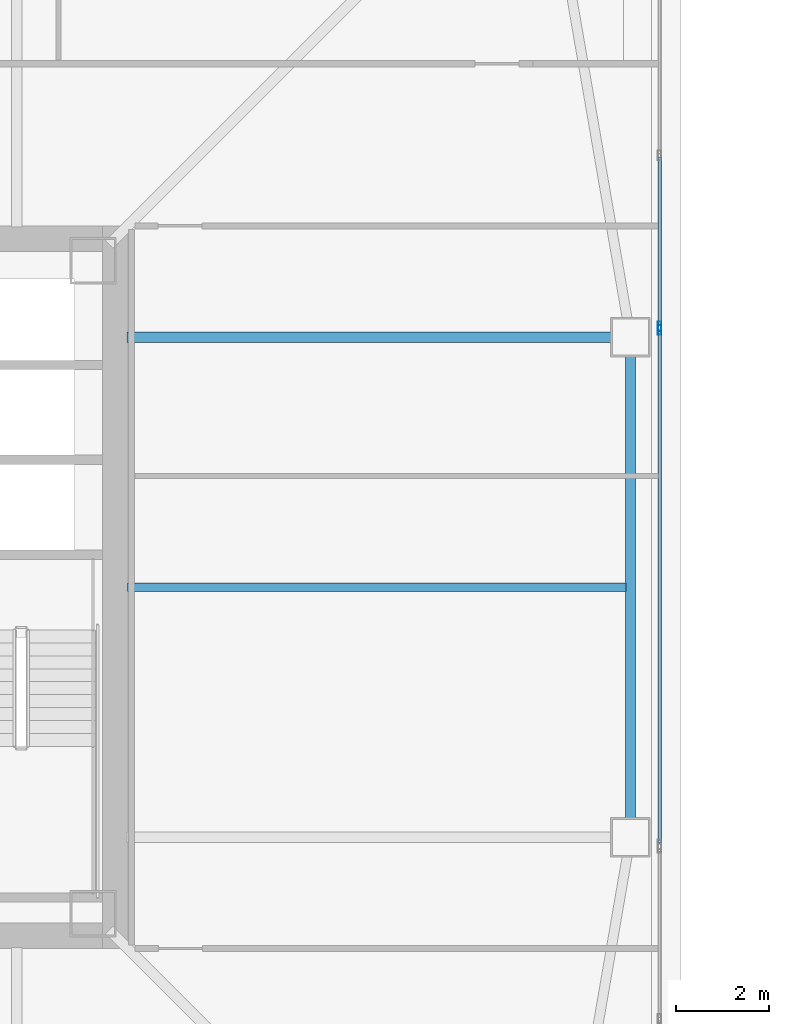
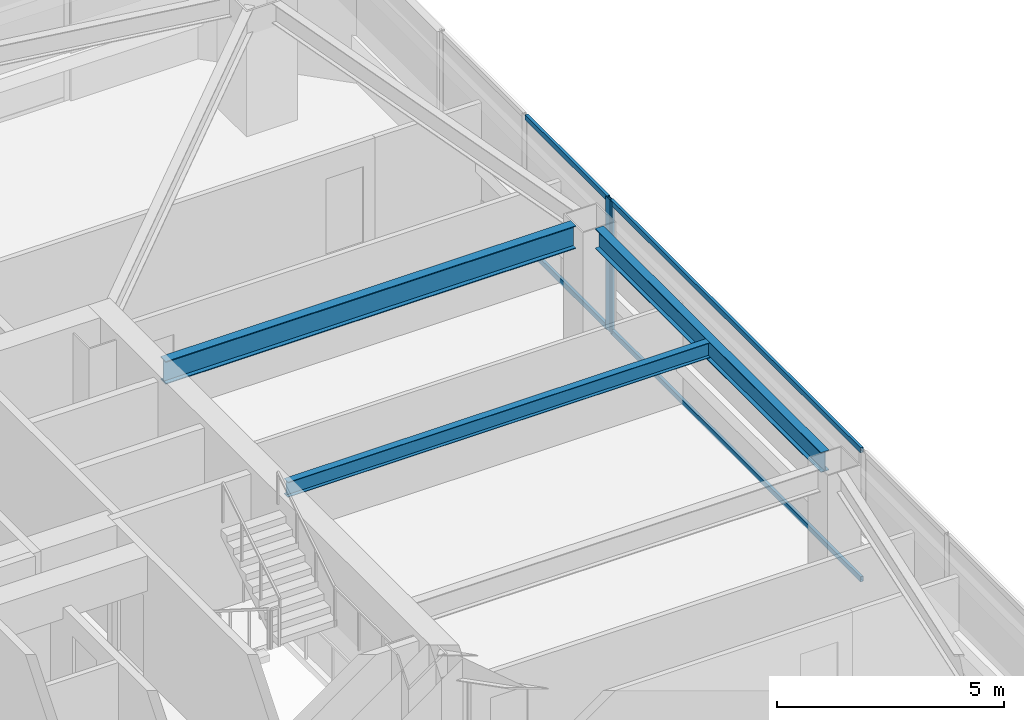
# One storey, part 11 of 44: 6 members, 3 beams, 2 elements without a shape of their own.
"""IFC4 building model written with IfcOpenShell, lengths in metres."""

import ifcopenshell
import ifcopenshell.guid

model = None  # the IFC model being written
_history = None  # IfcOwnerHistory: only IFC2X3 demands one
_inside = {}  # id of a spatial element -> (the spatial element, [elements in it])
_under = {}  # id of a project, library or spatial element -> (it, [spatial elements below it])
_declared = {}  # id of a project -> (the project, [libraries it declares])
_typed = {}  # id of a type object -> (the type object, [elements of that type])
_made_of = {}  # id of a material, layer set ... -> (it, [elements and type objects made of it])


def new_model(schema):
    """Start an empty IFC model of exactly this schema.

    Asked for "IFC4X3", IfcOpenShell would pick the latest addendum, in which some entities
    have other attributes; the version numbers below select the first issue.
    IFC2X3 requires an IfcOwnerHistory on every rooted entity: one is made here for all.
    """
    global model, _history
    if schema == "IFC4X3":
        model = ifcopenshell.file(schema_version=(4, 3, 0, 0))
    else:
        model = ifcopenshell.file(schema=schema)
    _inside.clear()
    _under.clear()
    _declared.clear()
    _typed.clear()
    _made_of.clear()
    _history = None
    if model.schema == "IFC2X3":
        org = make("IfcOrganization", Name="unknown")
        user = make(
            "IfcPersonAndOrganization",
            ThePerson=make("IfcPerson", FamilyName="unknown"),
            TheOrganization=org,
        )
        app = make(
            "IfcApplication",
            ApplicationDeveloper=org,
            Version="unknown",
            ApplicationFullName="unknown",
            ApplicationIdentifier="unknown",
        )
        _history = make(
            "IfcOwnerHistory",
            OwningUser=user,
            OwningApplication=app,
            ChangeAction="ADDED",
            CreationDate=0,
        )
    return model


def make(cls, **values):
    """One entity of the class cls with the attributes given. An attribute that is None is left unset."""
    return model.create_entity(
        cls, **{name: value for name, value in values.items() if value is not None}
    )


def rooted(cls, **values):
    """An entity with a GlobalId (a new one), such as an element, a storey or a relation."""
    return make(cls, GlobalId=ifcopenshell.guid.new(), OwnerHistory=_history, **values)


def si_unit(unit_type, name, prefix=None):
    """IfcSIUnit, for example si_unit("LENGTHUNIT", "METRE", prefix="MILLI")."""
    return make("IfcSIUnit", UnitType=unit_type, Prefix=prefix, Name=name)


def assignment(units):
    """IfcUnitAssignment: the units of a project."""
    return None if units is None else make("IfcUnitAssignment", Units=units)


def point(xyz):
    """IfcCartesianPoint."""
    return None if xyz is None else make("IfcCartesianPoint", Coordinates=xyz)


def direction(xyz):
    """IfcDirection."""
    return None if xyz is None else make("IfcDirection", DirectionRatios=xyz)


def frame(location, z_axis=None, x_axis=None):
    """IfcAxis2Placement3D, a coordinate frame: its origin and axes. An axis left out is left unset."""
    return make(
        "IfcAxis2Placement3D",
        Location=point(location),
        Axis=direction(z_axis),
        RefDirection=direction(x_axis),
    )


def frame_2d(location, x_axis=None):
    """IfcAxis2Placement2D, a coordinate frame in the plane: its origin and x axis."""
    return make(
        "IfcAxis2Placement2D", Location=point(location), RefDirection=direction(x_axis)
    )


def origin():
    """The frame at (0, 0, 0) with its axes left unset."""
    return frame((0.0, 0.0, 0.0))


def origin_2d():
    """The frame at (0, 0) in the plane with its x axis left unset."""
    return frame_2d((0.0, 0.0))


def place(relative_to, where):
    """IfcLocalPlacement: puts the frame where relative to a parent placement (None: the world)."""
    return make(
        "IfcLocalPlacement", PlacementRelTo=relative_to, RelativePlacement=where
    )


def context(
    kind, dimensions, precision=None, world=None, true_north=None, identifier=None
):
    """IfcGeometricRepresentationContext, for example the 3D "Model" context."""
    return make(
        "IfcGeometricRepresentationContext",
        ContextIdentifier=identifier,
        ContextType=kind,
        CoordinateSpaceDimension=dimensions,
        Precision=precision,
        WorldCoordinateSystem=world,
        TrueNorth=true_north,
    )


def subcontext(parent, identifier, kind, view, scale=None):
    """IfcGeometricRepresentationSubContext, for example "Body" below "Model"."""
    return make(
        "IfcGeometricRepresentationSubContext",
        ContextIdentifier=identifier,
        ContextType=kind,
        ParentContext=parent,
        TargetScale=scale,
        TargetView=view,
    )


def project(units=None, contexts=None):
    """IfcProject with its units and contexts."""
    return rooted(
        "IfcProject",
        Name="project",
        RepresentationContexts=contexts,
        UnitsInContext=assignment(units),
    )


def spatial(cls, under=None, at=None, **own):
    """A site, building, storey or space (cls), placed at a placement, below another one or the project."""
    s = rooted(cls, ObjectPlacement=at, **own)
    if under is not None:
        _under.setdefault(under.id(), (under, []))[1].append(s)
    return s


def profile(cls, at=None, kind="AREA", **sizes):
    """A parametric profile (cls). Its sizes go by their IFC names, for example OverallWidth=200.0."""
    return make(cls, ProfileType=kind, Position=at, **sizes)


def hollow_rectangle(**sizes):
    """IfcRectangleHollowProfileDef."""
    return profile("IfcRectangleHollowProfileDef", **sizes)


def i_section(**sizes):
    """IfcIShapeProfileDef."""
    return profile("IfcIShapeProfileDef", **sizes)


def extrude(swept, where, along, depth):
    """IfcExtrudedAreaSolid: the profile swept, set in the frame where, extruded along a direction by depth."""
    return make(
        "IfcExtrudedAreaSolid",
        SweptArea=swept,
        Position=where,
        ExtrudedDirection=direction(along),
        Depth=depth,
    )


def shape(context_of_items, identifier, shape_type, items):
    """IfcShapeRepresentation: the items that make up one representation, for example the "Body"."""
    return make(
        "IfcShapeRepresentation",
        ContextOfItems=context_of_items,
        RepresentationIdentifier=identifier,
        RepresentationType=shape_type,
        Items=items,
    )


def material(Name=None, Category=None):
    """IfcMaterial."""
    return make("IfcMaterial", Name=Name, Category=Category)


def material_profile(
    of_material, cross_section, Name=None, Category=None, Priority=None
):
    """IfcMaterialProfile: a cross section and its material."""
    return make(
        "IfcMaterialProfile",
        Name=Name,
        Material=of_material,
        Profile=cross_section,
        Priority=Priority,
        Category=Category,
    )


def profile_set(profiles, Name=None, composite=None):
    """IfcMaterialProfileSet."""
    return make(
        "IfcMaterialProfileSet",
        Name=Name,
        MaterialProfiles=profiles,
        CompositeProfile=composite,
    )


def made_of(thing, what):
    """Note that an element or type object is made of a material, layer set ...; save() writes the relation."""
    if what is not None:
        _made_of.setdefault(what.id(), (what, []))[1].append(thing)
    return thing


def type_object(cls, material=None, **own):
    """A type object (cls), such as IfcWallType, which elements share."""
    return made_of(rooted(cls, **own), material)


def element(
    cls,
    number,
    at=None,
    inside=None,
    cuts=None,
    type_object=None,
    material=None,
    context=None,
    identifier="Body",
    shape_type=None,
    held_by="IfcProductDefinitionShape",
    body=None,
    shapes=None,
    **own,
):
    """One element of the class cls, such as IfcWall. Its Tag is "e" and its number.

    at: its placement. inside: the storey or other place that contains it. cuts: it is an
    opening in that element (IfcRelVoidsElement). A single representation is given by context,
    identifier, shape_type and body (its items); several are given by shapes. held_by: the class
    of the entity that holds the representations. save() writes the other relations.
    """
    e = rooted(cls, Tag="e%d" % number, ObjectPlacement=at, **own)
    if body is not None:
        shapes = [shape(context, identifier, shape_type, body)]
    if shapes is not None:
        e.Representation = make(held_by, Representations=shapes)
    if inside is not None:
        _inside.setdefault(inside.id(), (inside, []))[1].append(e)
    if cuts is not None:
        rooted(
            "IfcRelVoidsElement", RelatingBuildingElement=cuts, RelatedOpeningElement=e
        )
    if type_object is not None:
        _typed.setdefault(type_object.id(), (type_object, []))[1].append(e)
    return made_of(e, material)


def aggregate(whole, parts):
    """IfcRelAggregates: a whole, such as a stair, and the parts it consists of."""
    return rooted("IfcRelAggregates", RelatingObject=whole, RelatedObjects=parts)


def save(model, path):
    """Write the relations noted so far, then the file.

    IfcRelAggregates (storeys below a building ...), IfcRelContainedInSpatialStructure (elements
    in a storey), IfcRelDefinesByType, IfcRelAssociatesMaterial and IfcRelDeclares: one each for
    every whole, place, type object, material and project.
    """
    for whole, parts in _under.values():
        aggregate(whole, parts)
    for where, things in _inside.values():
        rooted(
            "IfcRelContainedInSpatialStructure",
            RelatedElements=things,
            RelatingStructure=where,
        )
    for kind, things in _typed.values():
        rooted("IfcRelDefinesByType", RelatedObjects=things, RelatingType=kind)
    for what, things in _made_of.values():
        rooted("IfcRelAssociatesMaterial", RelatedObjects=things, RelatingMaterial=what)
    for by, libraries in _declared.values():
        rooted("IfcRelDeclares", RelatingContext=by, RelatedDefinitions=libraries)
    model.write(path)


model = new_model("IFC4")

# Units and contexts
model_context = context("Model", 3, precision=1e-05, world=origin(), true_north=direction((0.0, 1.0)))
body_context = subcontext(model_context, "Body", "Model", "MODEL_VIEW")
ifc_project = project(units=[si_unit("LENGTHUNIT", "METRE"), si_unit("AREAUNIT", "SQUARE_METRE"), si_unit("VOLUMEUNIT", "CUBIC_METRE"), si_unit("PLANEANGLEUNIT", "RADIAN"), si_unit("MASSUNIT", "GRAM", prefix="KILO")], contexts=[model_context])

# Site, building, storey
site_placement = place(None, origin())
site = spatial("IfcSite", under=ifc_project, at=site_placement, CompositionType="ELEMENT")
building_placement = place(site_placement, origin())
building = spatial("IfcBuilding", under=site, at=building_placement, Name="Tashvorn Skyway Center", CompositionType="ELEMENT")
storey_placement = place(building_placement, frame((0.0, 0.0, 149.89990234375)))
storey = spatial("IfcBuildingStorey", under=building, at=storey_placement, Name="L40", CompositionType="ELEMENT", Elevation=149.89990234375)

# Beams
ifc_material_1 = material(Name="Steel ASTM A992 Grade 50", Category="steel")
ifc_material_profile_1 = material_profile(ifc_material_1, i_section(OverallWidth=0.22998046875, OverallDepth=0.616943359375, WebThickness=0.01318359375, FlangeThickness=0.022216796875, at=origin_2d()), Name="W24X94")
ifc_profile_set_1 = profile_set([ifc_material_profile_1], Name="Steel ASTM A992 Grade 50")
beam_type_1 = type_object("IfcBeamType", Name="BM-BEAM-W24X94", PredefinedType="BEAM", material=ifc_profile_set_1)
beam_1_placement = place(storey_placement, frame((60.22998046875, 37.39990234375, 3.0615234375), z_axis=(-1.0, 0.0, 0.0), x_axis=(0.0, -1.0, 0.0)))
element("IfcBeam", 1, at=beam_1_placement, inside=storey, type_object=beam_type_1, Name="Tower 1 L40 Primary Floor Girder FC-E2", PredefinedType="BEAM", context=body_context, shape_type="SweptSolid", body=[
    extrude(i_section(OverallWidth=0.22998046875, OverallDepth=0.616943359375, WebThickness=0.01318359375, FlangeThickness=0.022216796875, at=origin_2d()), origin(), (0.0, 0.0, 1.0), 10.449951171875),
])
ifc_material_profile_2 = material_profile(ifc_material_1, i_section(OverallWidth=0.177978515625, OverallDepth=0.406005859375, WebThickness=0.0078125, FlangeThickness=0.0126953125, at=origin_2d()), Name="W16X40")
ifc_profile_set_2 = profile_set([ifc_material_profile_2], Name="Steel ASTM A992 Grade 50")
beam_type_2 = type_object("IfcBeamType", Name="BM-JOIST-W16X40", PredefinedType="JOIST", material=ifc_profile_set_2)
beam_2_placement = place(storey_placement, frame((49.7900390625, 32.0, 3.1669921875), z_axis=(1.0, 0.0, 0.0), x_axis=(0.0, 1.0, 0.0)))
element("IfcBeam", 2, at=beam_2_placement, inside=storey, type_object=beam_type_2, Name="Tower 1 L40 Secondary Composite Joist JE", PredefinedType="JOIST", context=body_context, shape_type="SweptSolid", body=[
    extrude(i_section(OverallWidth=0.177978515625, OverallDepth=0.406005859375, WebThickness=0.0078125, FlangeThickness=0.0126953125, at=origin_2d()), origin(), (0.0, 0.0, 1.0), 10.762451171875),
])
ifc_material_profile_3 = material_profile(ifc_material_1, i_section(OverallWidth=0.2109375, OverallDepth=0.5390625, WebThickness=0.01171875, FlangeThickness=0.018798828125, at=origin_2d()), Name="W21X73")
ifc_profile_set_3 = profile_set([ifc_material_profile_3], Name="Steel ASTM A992 Grade 50")
beam_type_3 = type_object("IfcBeamType", Name="BM-SPANDREL-W21X73", PredefinedType="SPANDREL", material=ifc_profile_set_3)
beam_3_placement = place(storey_placement, frame((60.64990234375, 27.02001953125, 3.1005859375), z_axis=(0.0, 1.0, 0.0), x_axis=(-1.0, 0.0, 0.0)))
element("IfcBeam", 3, at=beam_3_placement, inside=storey, type_object=beam_type_3, Name="Tower 1 L40 Spandrel Beam 05", PredefinedType="SPANDREL", context=body_context, shape_type="SweptSolid", body=[
    extrude(i_section(OverallWidth=0.2109375, OverallDepth=0.5390625, WebThickness=0.01171875, FlangeThickness=0.018798828125, at=origin_2d()), origin(), (0.0, 0.0, 1.0), 9.9599609375),
])

# Curtain wall, member
ifc_material_2 = material(Name="Thermally broken bronze-anodized aluminium 6063-T6", Category="aluminium")
curtain_wall_type = type_object("IfcCurtainWallType", Name="CW-CW-Z3", PredefinedType="NOTDEFINED", material=ifc_material_2)
curtain_wall_1_placement = place(storey_placement, origin())
curtain_wall_1 = element("IfcCurtainWall", 4, at=curtain_wall_1_placement, inside=storey, type_object=curtain_wall_type, Name="Tower 1 L40 East Unitised Curtain Wall Glazing Group 1", PredefinedType="NOTDEFINED")
ifc_material_profile_4 = material_profile(ifc_material_2, hollow_rectangle(XDim=0.074951171875, YDim=0.199951171875, WallThickness=0.00439453125, at=origin_2d()), Name="ALU-MULL-75x200")
ifc_profile_set_4 = profile_set([ifc_material_profile_4], Name="Thermally broken bronze-anodized aluminium 6063-T6")
member_type_1 = type_object("IfcMemberType", Name="CWM-CW-Z3", PredefinedType="MULLION", material=ifc_profile_set_4)
member_1_placement = place(storey_placement, frame((61.280029296875, 37.630859375, 0.0), z_axis=(0.0, 0.0, 1.0), x_axis=(1.0, 0.0, 0.0)))
member_1 = element("IfcMember", 5, at=member_1_placement, type_object=member_type_1, Name="CW-Z3 mullion 3", PredefinedType="MULLION", context=body_context, shape_type="SweptSolid", body=[
    extrude(hollow_rectangle(XDim=0.074951171875, YDim=0.199951171875, WallThickness=0.00439453125, at=origin_2d()), origin(), (0.0, 0.0, 1.0), 3.550048828125),
])

curtain_wall_2_placement = place(storey_placement, origin())
curtain_wall_2 = element("IfcCurtainWall", 6, at=curtain_wall_2_placement, inside=storey, type_object=curtain_wall_type, Name="Tower 1 L40 East Unitised Curtain Wall Glazing Group 2", PredefinedType="NOTDEFINED")
member_2_placement = place(storey_placement, frame((61.280029296875, 37.555908203125, 0.0), z_axis=(0.0, 0.0, 1.0), x_axis=(1.0, 0.0, 0.0)))
member_2 = element("IfcMember", 7, at=member_2_placement, type_object=member_type_1, Name="CW-Z3 mullion 1", PredefinedType="MULLION", context=body_context, shape_type="SweptSolid", body=[
    extrude(hollow_rectangle(XDim=0.074951171875, YDim=0.199951171875, WallThickness=0.00439453125, at=origin_2d()), origin(), (0.0, 0.0, 1.0), 3.550048828125),
])

# Member
ifc_material_profile_5 = material_profile(ifc_material_2, hollow_rectangle(XDim=0.074951171875, YDim=0.139892578125, WallThickness=0.004150390625, at=origin_2d()), Name="ALU-TRAN-75x140")
ifc_profile_set_5 = profile_set([ifc_material_profile_5], Name="Thermally broken bronze-anodized aluminium 6063-T6")
member_type_2 = type_object("IfcMemberType", Name="CWT-CW-Z3", PredefinedType="USERDEFINED", material=ifc_profile_set_5)
member_3_placement = place(storey_placement, frame((61.280029296875, 41.28466796875, 0.03759765625), z_axis=(0.0, -1.0, 0.0), x_axis=(1.0, 0.0, 0.0)))
member_3 = element("IfcMember", 8, at=member_3_placement, type_object=member_type_2, Name="CW-Z3 transom 2.1", ObjectType="TRANSOM", PredefinedType="USERDEFINED", context=body_context, shape_type="SweptSolid", body=[
    extrude(hollow_rectangle(XDim=0.074951171875, YDim=0.139892578125, WallThickness=0.004150390625, at=origin_2d()), origin(), (0.0, 0.0, 1.0), 3.616455078125),
])

member_4_placement = place(storey_placement, frame((61.280029296875, 41.28466796875, 3.5126953125), z_axis=(0.0, -1.0, 0.0), x_axis=(1.0, 0.0, 0.0)))
member_4 = element("IfcMember", 9, at=member_4_placement, type_object=member_type_2, Name="CW-Z3 transom 2.2", ObjectType="TRANSOM", PredefinedType="USERDEFINED", context=body_context, shape_type="SweptSolid", body=[
    extrude(hollow_rectangle(XDim=0.074951171875, YDim=0.139892578125, WallThickness=0.004150390625, at=origin_2d()), origin(), (0.0, 0.0, 1.0), 3.616455078125),
])

aggregate(curtain_wall_1, [member_1, member_3, member_4])

member_5_placement = place(storey_placement, frame((61.280029296875, 37.518310546875, 0.03759765625), z_axis=(0.0, -1.0, 0.0), x_axis=(1.0, 0.0, 0.0)))
member_5 = element("IfcMember", 10, at=member_5_placement, type_object=member_type_2, Name="CW-Z3 transom 1.1", ObjectType="TRANSOM", PredefinedType="USERDEFINED", context=body_context, shape_type="SweptSolid", body=[
    extrude(hollow_rectangle(XDim=0.074951171875, YDim=0.139892578125, WallThickness=0.004150390625, at=origin_2d()), origin(), (0.0, 0.0, 1.0), 11.03662109375),
])

member_6_placement = place(storey_placement, frame((61.280029296875, 37.518310546875, 3.5126953125), z_axis=(0.0, -1.0, 0.0), x_axis=(1.0, 0.0, 0.0)))
member_6 = element("IfcMember", 11, at=member_6_placement, type_object=member_type_2, Name="CW-Z3 transom 1.2", ObjectType="TRANSOM", PredefinedType="USERDEFINED", context=body_context, shape_type="SweptSolid", body=[
    extrude(hollow_rectangle(XDim=0.074951171875, YDim=0.139892578125, WallThickness=0.004150390625, at=origin_2d()), origin(), (0.0, 0.0, 1.0), 11.03662109375),
])

aggregate(curtain_wall_2, [member_2, member_5, member_6])

save(model, "model.ifc")
